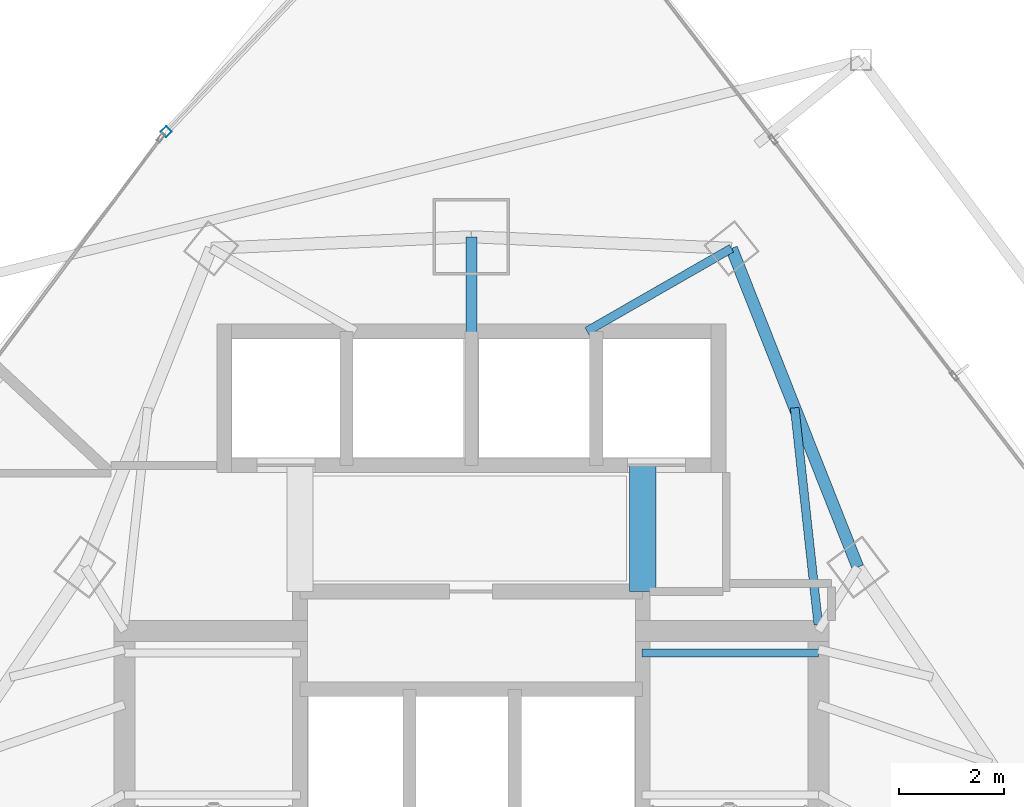
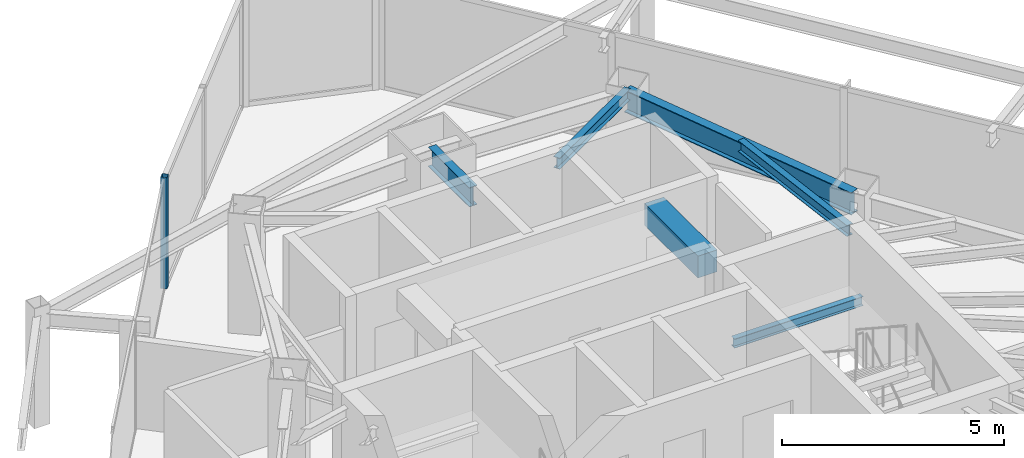
# One storey, part 19 of 30: 6 beams, 1 member, 1 element without a shape of its own.
"""IFC4 building model written with IfcOpenShell, lengths in metres."""

from ifc_helpers import new_model, si_unit, direction, frame, origin, origin_2d, place, context, subcontext, project, spatial, rectangle, hollow_rectangle, i_section, extrude, material, layer, layer_set, material_profile, profile_set, type_object, element, aggregate, save


model = new_model("IFC4")

# Units and contexts
model_context = context("Model", 3, precision=1e-05, world=origin(), true_north=direction((0.0, 1.0)))
body_context = subcontext(model_context, "Body", "Model", "MODEL_VIEW")
ifc_project = project(units=[si_unit("LENGTHUNIT", "METRE"), si_unit("AREAUNIT", "SQUARE_METRE"), si_unit("VOLUMEUNIT", "CUBIC_METRE"), si_unit("PLANEANGLEUNIT", "RADIAN"), si_unit("MASSUNIT", "GRAM", prefix="KILO")], contexts=[model_context])

# Site, building, storey
site_placement = place(None, origin())
site = spatial("IfcSite", under=ifc_project, at=site_placement, CompositionType="ELEMENT")
building_placement = place(site_placement, origin())
building = spatial("IfcBuilding", under=site, at=building_placement, Name="Orvanel Arch Residences", CompositionType="ELEMENT")
storey_placement = place(building_placement, frame((0.0, 0.0, 136.39990234375)))
storey = spatial("IfcBuildingStorey", under=building, at=storey_placement, Name="L38", CompositionType="ELEMENT", Elevation=136.39990234375)

# Beams
ifc_material_1 = material(Name="Structural steel AS/NZS 3679.1 Grade 300 (300 MPa)", Category="steel")
ifc_material_profile_1 = material_profile(ifc_material_1, i_section(OverallWidth=0.208984375, OverallDepth=0.532958984375, WebThickness=0.01025390625, FlangeThickness=0.015625, at=origin_2d()), Name="530UB92.4")
ifc_profile_set_1 = profile_set([ifc_material_profile_1], Name="Structural steel AS/NZS 3679.1 Grade 300 (300 MPa)")
beam_type_1 = type_object("IfcBeamType", Name="BG-530UB", PredefinedType="BEAM", material=ifc_profile_set_1)
beam_1_placement = place(storey_placement, frame((33.0, 39.550048828125, 2.794189453125), z_axis=(0.0, 1.0, 0.0), x_axis=(-1.0, 0.0, 0.0)))
element("IfcBeam", 1, at=beam_1_placement, inside=storey, type_object=beam_type_1, Name="L38 North Radial Girder", PredefinedType="BEAM", context=body_context, shape_type="SweptSolid", body=[
    extrude(i_section(OverallWidth=0.208984375, OverallDepth=0.532958984375, WebThickness=0.01025390625, FlangeThickness=0.015625, at=origin_2d()), origin(), (0.0, 0.0, 1.0), 1.847900390625),
])
ifc_material_profile_2 = material_profile(ifc_material_1, i_section(OverallWidth=0.14599609375, OverallDepth=0.251953125, WebThickness=0.006103515625, FlangeThickness=0.008544921875, at=origin_2d()), Name="250UB31.4")
ifc_profile_set_2 = profile_set([ifc_material_profile_2], Name="Structural steel AS/NZS 3679.1 Grade 300 (300 MPa)")
beam_type_2 = type_object("IfcBeamType", Name="BJ-250UB", PredefinedType="JOIST", material=ifc_profile_set_2)
beam_2_placement = place(storey_placement, frame((36.25, 33.47998046875, 1.32421875), z_axis=(1.0, 0.0, 0.0), x_axis=(0.0, 1.0, 0.0)))
element("IfcBeam", 2, at=beam_2_placement, inside=storey, type_object=beam_type_2, Name="L38 ST-2 Half-Landing Support Beam 1.2", PredefinedType="JOIST", context=body_context, shape_type="SweptSolid", body=[
    extrude(i_section(OverallWidth=0.14599609375, OverallDepth=0.251953125, WebThickness=0.006103515625, FlangeThickness=0.008544921875, at=origin_2d()), origin(), (0.0, 0.0, 1.0), 3.35009765625),
])
ifc_material_profile_3 = material_profile(ifc_material_1, i_section(OverallWidth=0.1650390625, OverallDepth=0.303955078125, WebThickness=0.006103515625, FlangeThickness=0.01025390625, at=origin_2d()), Name="310UB40.4")
ifc_profile_set_3 = profile_set([ifc_material_profile_3], Name="Structural steel AS/NZS 3679.1 Grade 300 (300 MPa)")
beam_type_3 = type_object("IfcBeamType", Name="BJ-310UB", PredefinedType="JOIST", material=ifc_profile_set_3)
beam_3_placement = place(storey_placement, frame((39.60009765625, 34.02001953125, 2.908203125), z_axis=(-0.108261441852, 0.99412245735, 0.0), x_axis=(-0.99412245735, -0.108261441852, 0.0)))
element("IfcBeam", 3, at=beam_3_placement, inside=storey, type_object=beam_type_3, Name="L38 NNE2 Wing Floor Joist", PredefinedType="JOIST", context=body_context, shape_type="SweptSolid", body=[
    extrude(i_section(OverallWidth=0.1650390625, OverallDepth=0.303955078125, WebThickness=0.006103515625, FlangeThickness=0.01025390625, at=origin_2d()), origin(), (0.0, 0.0, 1.0), 4.1494140625),
])
beam_4_placement = place(storey_placement, frame((35.199951171875, 39.60009765625, 2.908203125), z_axis=(0.86736513383, 0.497672306458, 0.0), x_axis=(-0.497672306458, 0.86736513383, 0.0)))
element("IfcBeam", 4, at=beam_4_placement, inside=storey, type_object=beam_type_3, Name="L38 MNE Wing Floor Joist", PredefinedType="JOIST", context=body_context, shape_type="SweptSolid", body=[
    extrude(i_section(OverallWidth=0.1650390625, OverallDepth=0.303955078125, WebThickness=0.006103515625, FlangeThickness=0.01025390625, at=origin_2d()), origin(), (0.0, 0.0, 1.0), 3.17041015625),
])
ifc_material_2 = material(Name="Concrete S65 (65 MPa)", Category="concrete")
ifc_material_profile_4 = material_profile(ifc_material_2, rectangle(XDim=0.5, YDim=0.60009765625, at=origin_2d()), Name="RC500x600")
ifc_profile_set_4 = profile_set([ifc_material_profile_4], Name="Concrete S65 (65 MPa)")
beam_type_4 = type_object("IfcBeamType", Name="CB-500x600", PredefinedType="LINTEL", material=ifc_profile_set_4)
beam_5_placement = place(storey_placement, frame((36.260009765625, 34.64990234375, 2.760009765625), z_axis=(0.0, 1.0, 0.0), x_axis=(-1.0, 0.0, 0.0)))
element("IfcBeam", 5, at=beam_5_placement, inside=storey, type_object=beam_type_4, Name="L38 East Core Lobby Coupling Lintel Beam", PredefinedType="LINTEL", context=body_context, shape_type="SweptSolid", body=[
    extrude(rectangle(XDim=0.5, YDim=0.60009765625, at=origin_2d()), origin(), (0.0, 0.0, 1.0), 2.400146484375),
])

# Curtain wall, member
ifc_material_3 = material(Name="Bronze-anodised aluminium AA6063-T6", Category="aluminium")
ifc_layer = layer(ifc_material_3, 0.18994140625)
ifc_layer_set = layer_set([ifc_layer], Name="Bronze-anodised aluminium AA6063-T6")
curtain_wall_type = type_object("IfcCurtainWallType", Name="CW5-CRN-SYS", PredefinedType="NOTDEFINED", material=ifc_layer_set)
curtain_wall_placement = place(storey_placement, origin())
curtain_wall = element("IfcCurtainWall", 6, at=curtain_wall_placement, inside=storey, type_object=curtain_wall_type, Name="L38 CW5-CRN-SYS Unitised Curtain Wall", PredefinedType="NOTDEFINED")
ifc_material_profile_5 = material_profile(ifc_material_3, hollow_rectangle(XDim=0.14990234375, YDim=0.14990234375, WallThickness=0.0048828125, at=origin_2d()), Name="ALU150x150x5")
ifc_profile_set_5 = profile_set([ifc_material_profile_5], Name="Bronze-anodised aluminium AA6063-T6")
member_type = type_object("IfcMemberType", Name="MUL-150x150", PredefinedType="MULLION", material=ifc_profile_set_5)
member_placement = place(storey_placement, frame((27.194580078125, 43.396240234375, 0.0), z_axis=(0.0, 0.0, 1.0), x_axis=(0.724586146342, -0.689184239902, 0.0)))
member = element("IfcMember", 7, at=member_placement, type_object=member_type, Name="CW-S5 mullion 3", PredefinedType="MULLION", context=body_context, shape_type="SweptSolid", body=[
    extrude(hollow_rectangle(XDim=0.14990234375, YDim=0.14990234375, WallThickness=0.0048828125, at=origin_2d()), origin(), (0.0, 0.0, 1.0), 3.06005859375),
])
aggregate(curtain_wall, [member])

# Beam
ifc_material_profile_6 = material_profile(ifc_material_1, i_section(OverallWidth=0.22900390625, OverallDepth=0.612060546875, WebThickness=0.011962890625, FlangeThickness=0.01953125, at=origin_2d()), Name="610UB125")
ifc_profile_set_6 = profile_set([ifc_material_profile_6], Name="Structural steel AS/NZS 3679.1 Grade 300 (300 MPa)")
beam_type_5 = type_object("IfcBeamType", Name="SP-610UB", PredefinedType="SPANDREL", material=ifc_profile_set_6)
beam_6_placement = place(storey_placement, frame((40.35205078125, 35.113037109375, 2.754150390625), z_axis=(-0.368233143579, 0.929733484376, 0.0), x_axis=(-0.929733484376, -0.368233143579, 0.0)))
element("IfcBeam", 8, at=beam_6_placement, inside=storey, type_object=beam_type_5, Name="L38 Perimeter Spandrel Beam 13", PredefinedType="SPANDREL", context=body_context, shape_type="SweptSolid", body=[
    extrude(i_section(OverallWidth=0.22900390625, OverallDepth=0.612060546875, WebThickness=0.011962890625, FlangeThickness=0.01953125, at=origin_2d()), origin(), (0.0, 0.0, 1.0), 6.523193359375),
])

save(model, "model.ifc")
